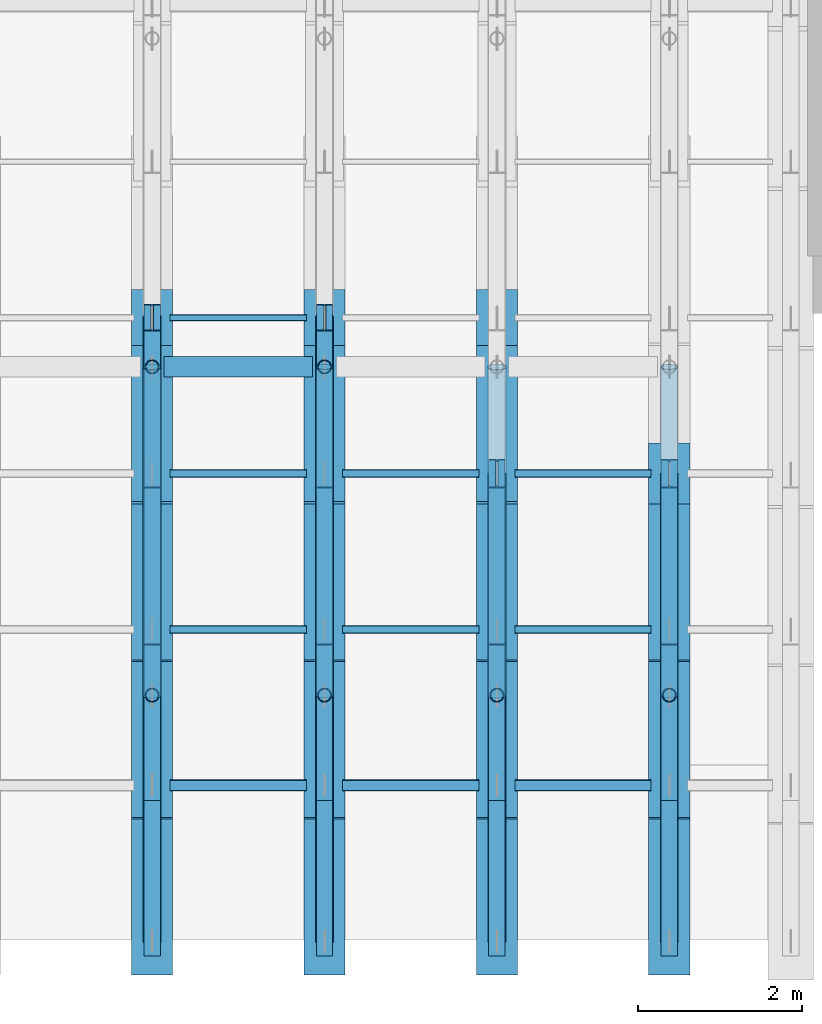
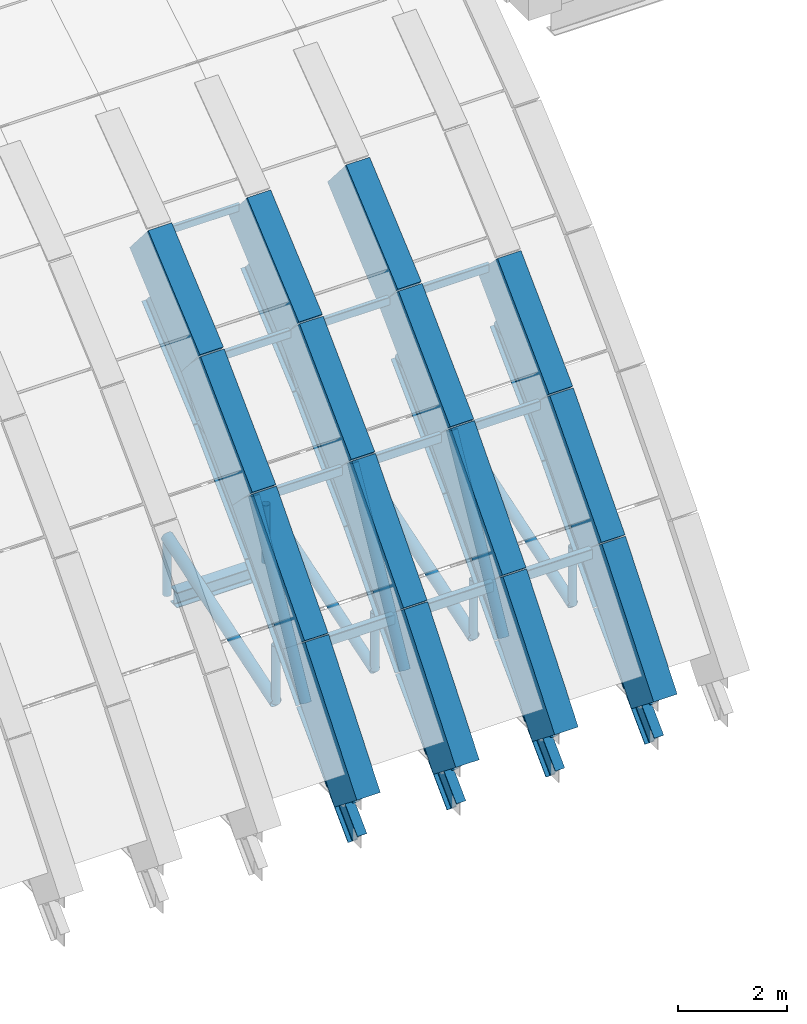
# One storey, part 32 of 67: 34 members, 30 beams.
"""IFC4 building model written with IfcOpenShell, lengths in metres."""

from ifc_helpers import new_model, si_unit, direction, frame, origin, origin_2d, place, context, subcontext, project, spatial, rectangle, hollow_rectangle, hollow_circle, i_section, extrude, material, material_profile, profile_set, type_object, element, save


model = new_model("IFC4")

# Units and contexts
model_context = context("Model", 3, precision=1e-05, world=origin(), true_north=direction((0.0, 1.0)))
body_context = subcontext(model_context, "Body", "Model", "MODEL_VIEW")
ifc_project = project(units=[si_unit("LENGTHUNIT", "METRE"), si_unit("AREAUNIT", "SQUARE_METRE"), si_unit("VOLUMEUNIT", "CUBIC_METRE"), si_unit("PLANEANGLEUNIT", "RADIAN"), si_unit("MASSUNIT", "GRAM", prefix="KILO")], contexts=[model_context])

# Site, building, storey
site_placement = place(None, origin())
site = spatial("IfcSite", under=ifc_project, at=site_placement, CompositionType="ELEMENT")
building_placement = place(site_placement, origin())
building = spatial("IfcBuilding", under=site, at=building_placement, Name="Shengluoqiao Park Theatre", CompositionType="ELEMENT")
storey_placement = place(building_placement, frame((0.0, 0.0, 28.60009765625)))
storey = spatial("IfcBuildingStorey", under=building, at=storey_placement, Name="Roof", CompositionType="ELEMENT", Elevation=28.60009765625)

# Beams
ifc_material_1 = material(Name="Concrete C50", Category="concrete")
ifc_material_profile_1 = material_profile(ifc_material_1, rectangle(XDim=0.5, YDim=1.050048828125, at=origin_2d()), Name="RC ARCH 500x1050")
ifc_profile_set_1 = profile_set([ifc_material_profile_1], Name="Concrete C50")
beam_type_1 = type_object("IfcBeamType", Name="STR-BM-AR-5010", PredefinedType="BEAM", material=ifc_profile_set_1)
beam_1_placement = place(storey_placement, frame((78.0, 76.0, -10.02001953125), z_axis=(0.0, 0.621631409309, 0.783309894588), x_axis=(-1.0, 0.0, 0.0)))
element("IfcBeam", 1, at=beam_1_placement, inside=storey, type_object=beam_type_1, Name="Barrel-Shell Arch Rib R17-S01", PredefinedType="BEAM", context=body_context, shape_type="SweptSolid", body=[
    extrude(rectangle(XDim=0.5, YDim=1.050048828125, at=origin_2d()), origin(), (0.0, 0.0, 1.0), 3.056396484375),
])
beam_2_placement = place(storey_placement, frame((78.0, 77.89990234375, -7.6259765625), z_axis=(0.0, 0.663638456789, 0.748053473136), x_axis=(-1.0, 0.0, 0.0)))
element("IfcBeam", 2, at=beam_2_placement, inside=storey, type_object=beam_type_1, Name="Barrel-Shell Arch Rib R17-S02", PredefinedType="BEAM", context=body_context, shape_type="SweptSolid", body=[
    extrude(rectangle(XDim=0.5, YDim=1.050048828125, at=origin_2d()), origin(), (0.0, 0.0, 1.0), 2.86328125),
])
beam_3_placement = place(storey_placement, frame((78.0, 79.800048828125, -5.484130859375), z_axis=(0.0, 0.708926398432, 0.705282469373), x_axis=(-1.0, 0.0, 0.0)))
element("IfcBeam", 3, at=beam_3_placement, inside=storey, type_object=beam_type_1, Name="Barrel-Shell Arch Rib R17-S03", PredefinedType="BEAM", context=body_context, shape_type="SweptSolid", body=[
    extrude(rectangle(XDim=0.5, YDim=1.050048828125, at=origin_2d()), origin(), (0.0, 0.0, 1.0), 2.679931640625),
])
beam_4_placement = place(storey_placement, frame((78.0, 81.699951171875, -3.593994140625), z_axis=(0.0, 0.757433195517, 0.652912669757), x_axis=(-1.0, 0.0, 0.0)))
element("IfcBeam", 4, at=beam_4_placement, inside=storey, type_object=beam_type_1, Name="Barrel-Shell Arch Rib R17-S04", PredefinedType="BEAM", context=body_context, shape_type="SweptSolid", body=[
    extrude(rectangle(XDim=0.5, YDim=1.050048828125, at=origin_2d()), origin(), (0.0, 0.0, 1.0), 2.508544921875),
])
beam_5_placement = place(storey_placement, frame((80.10009765625, 76.0, -10.02001953125), z_axis=(0.0, 0.621631409309, 0.783309894588), x_axis=(-1.0, 0.0, 0.0)))
element("IfcBeam", 5, at=beam_5_placement, inside=storey, type_object=beam_type_1, Name="Barrel-Shell Arch Rib R18-S01", PredefinedType="BEAM", context=body_context, shape_type="SweptSolid", body=[
    extrude(rectangle(XDim=0.5, YDim=1.050048828125, at=origin_2d()), origin(), (0.0, 0.0, 1.0), 3.056396484375),
])
beam_6_placement = place(storey_placement, frame((80.10009765625, 77.89990234375, -7.6259765625), z_axis=(0.0, 0.663638456789, 0.748053473136), x_axis=(-1.0, 0.0, 0.0)))
element("IfcBeam", 6, at=beam_6_placement, inside=storey, type_object=beam_type_1, Name="Barrel-Shell Arch Rib R18-S02", PredefinedType="BEAM", context=body_context, shape_type="SweptSolid", body=[
    extrude(rectangle(XDim=0.5, YDim=1.050048828125, at=origin_2d()), origin(), (0.0, 0.0, 1.0), 2.86328125),
])
beam_7_placement = place(storey_placement, frame((80.10009765625, 79.800048828125, -5.484130859375), z_axis=(0.0, 0.708926398432, 0.705282469373), x_axis=(-1.0, 0.0, 0.0)))
element("IfcBeam", 7, at=beam_7_placement, inside=storey, type_object=beam_type_1, Name="Barrel-Shell Arch Rib R18-S03", PredefinedType="BEAM", context=body_context, shape_type="SweptSolid", body=[
    extrude(rectangle(XDim=0.5, YDim=1.050048828125, at=origin_2d()), origin(), (0.0, 0.0, 1.0), 2.679931640625),
])
beam_8_placement = place(storey_placement, frame((80.10009765625, 81.699951171875, -3.593994140625), z_axis=(0.0, 0.757433195517, 0.652912669757), x_axis=(-1.0, 0.0, 0.0)))
element("IfcBeam", 8, at=beam_8_placement, inside=storey, type_object=beam_type_1, Name="Barrel-Shell Arch Rib R18-S04", PredefinedType="BEAM", context=body_context, shape_type="SweptSolid", body=[
    extrude(rectangle(XDim=0.5, YDim=1.050048828125, at=origin_2d()), origin(), (0.0, 0.0, 1.0), 2.508544921875),
])
beam_9_placement = place(storey_placement, frame((82.199951171875, 76.0, -10.02001953125), z_axis=(0.0, 0.621631409309, 0.783309894588), x_axis=(-1.0, 0.0, 0.0)))
element("IfcBeam", 9, at=beam_9_placement, inside=storey, type_object=beam_type_1, Name="Barrel-Shell Arch Rib R19-S01", PredefinedType="BEAM", context=body_context, shape_type="SweptSolid", body=[
    extrude(rectangle(XDim=0.5, YDim=1.050048828125, at=origin_2d()), origin(), (0.0, 0.0, 1.0), 3.056396484375),
])
beam_10_placement = place(storey_placement, frame((82.199951171875, 77.89990234375, -7.6259765625), z_axis=(0.0, 0.663638456789, 0.748053473136), x_axis=(-1.0, 0.0, 0.0)))
element("IfcBeam", 10, at=beam_10_placement, inside=storey, type_object=beam_type_1, Name="Barrel-Shell Arch Rib R19-S02", PredefinedType="BEAM", context=body_context, shape_type="SweptSolid", body=[
    extrude(rectangle(XDim=0.5, YDim=1.050048828125, at=origin_2d()), origin(), (0.0, 0.0, 1.0), 2.86328125),
])
beam_11_placement = place(storey_placement, frame((82.199951171875, 79.800048828125, -5.484130859375), z_axis=(0.0, 0.708926398432, 0.705282469373), x_axis=(-1.0, 0.0, 0.0)))
element("IfcBeam", 11, at=beam_11_placement, inside=storey, type_object=beam_type_1, Name="Barrel-Shell Arch Rib R19-S03", PredefinedType="BEAM", context=body_context, shape_type="SweptSolid", body=[
    extrude(rectangle(XDim=0.5, YDim=1.050048828125, at=origin_2d()), origin(), (0.0, 0.0, 1.0), 2.679931640625),
])
beam_12_placement = place(storey_placement, frame((82.199951171875, 81.699951171875, -3.593994140625), z_axis=(0.0, 0.757433195517, 0.652912669757), x_axis=(-1.0, 0.0, 0.0)))
element("IfcBeam", 12, at=beam_12_placement, inside=storey, type_object=beam_type_1, Name="Barrel-Shell Arch Rib R19-S04", PredefinedType="BEAM", context=body_context, shape_type="SweptSolid", body=[
    extrude(rectangle(XDim=0.5, YDim=1.050048828125, at=origin_2d()), origin(), (0.0, 0.0, 1.0), 2.508544921875),
])
beam_13_placement = place(storey_placement, frame((84.300048828125, 76.0, -10.02001953125), z_axis=(0.0, 0.621631409309, 0.783309894588), x_axis=(-1.0, 0.0, 0.0)))
element("IfcBeam", 13, at=beam_13_placement, inside=storey, type_object=beam_type_1, Name="Barrel-Shell Arch Rib R20-S01", PredefinedType="BEAM", context=body_context, shape_type="SweptSolid", body=[
    extrude(rectangle(XDim=0.5, YDim=1.050048828125, at=origin_2d()), origin(), (0.0, 0.0, 1.0), 3.056396484375),
])
beam_14_placement = place(storey_placement, frame((84.300048828125, 77.89990234375, -7.6259765625), z_axis=(0.0, 0.663638456789, 0.748053473136), x_axis=(-1.0, 0.0, 0.0)))
element("IfcBeam", 14, at=beam_14_placement, inside=storey, type_object=beam_type_1, Name="Barrel-Shell Arch Rib R20-S02", PredefinedType="BEAM", context=body_context, shape_type="SweptSolid", body=[
    extrude(rectangle(XDim=0.5, YDim=1.050048828125, at=origin_2d()), origin(), (0.0, 0.0, 1.0), 2.86328125),
])
beam_15_placement = place(storey_placement, frame((84.300048828125, 79.800048828125, -5.484130859375), z_axis=(0.0, 0.708926398432, 0.705282469373), x_axis=(-1.0, 0.0, 0.0)))
element("IfcBeam", 15, at=beam_15_placement, inside=storey, type_object=beam_type_1, Name="Barrel-Shell Arch Rib R20-S03", PredefinedType="BEAM", context=body_context, shape_type="SweptSolid", body=[
    extrude(rectangle(XDim=0.5, YDim=1.050048828125, at=origin_2d()), origin(), (0.0, 0.0, 1.0), 2.679931640625),
])
ifc_material_2 = material(Name="Steel Q355", Category="steel")
ifc_material_profile_2 = material_profile(ifc_material_2, i_section(OverallWidth=0.25, OverallDepth=0.340087890625, WebThickness=0.009033203125, FlangeThickness=0.013916015625, FilletRadius=0.01611328125, at=origin_2d()), Name="HM 340x250x9x14")
ifc_profile_set_2 = profile_set([ifc_material_profile_2], Name="Steel Q355")
beam_type_2 = type_object("IfcBeamType", Name="STR-BM-G-HM340", PredefinedType="BEAM", material=ifc_profile_set_2)
beam_16_placement = place(storey_placement, frame((78.14404296875, 83.0, -9.77001953125), z_axis=(1.0, 0.0, 0.0), x_axis=(0.0, 1.0, 0.0)))
element("IfcBeam", 16, at=beam_16_placement, inside=storey, type_object=beam_type_2, Name="Auditorium Overhead Catwalk Girder R17-1", PredefinedType="BEAM", context=body_context, shape_type="SweptSolid", body=[
    extrude(i_section(OverallWidth=0.25, OverallDepth=0.340087890625, WebThickness=0.009033203125, FlangeThickness=0.013916015625, FilletRadius=0.01611328125, at=origin_2d()), origin(), (0.0, 0.0, 1.0), 1.81201171875),
])
ifc_material_profile_3 = material_profile(ifc_material_2, i_section(OverallWidth=0.199951171875, OverallDepth=0.5, WebThickness=0.010009765625, FlangeThickness=0.01611328125, FilletRadius=0.01806640625, at=origin_2d()), Name="HN 500x200x10x16")
ifc_profile_set_3 = profile_set([ifc_material_profile_3], Name="Steel Q355")
beam_type_3 = type_object("IfcBeamType", Name="STR-BM-J-HN500", PredefinedType="JOIST", material=ifc_profile_set_3)
beam_17_placement = place(storey_placement, frame((78.0, 76.0, -10.880126953125), z_axis=(0.0, 0.708197993403, 0.706013882398), x_axis=(-1.0, 0.0, 0.0)))
element("IfcBeam", 17, at=beam_17_placement, inside=storey, type_object=beam_type_3, Name="Barrel-Shell Lower Arch Chord R17-S01", PredefinedType="JOIST", context=body_context, shape_type="SweptSolid", body=[
    extrude(i_section(OverallWidth=0.199951171875, OverallDepth=0.5, WebThickness=0.010009765625, FlangeThickness=0.01611328125, FilletRadius=0.01806640625, at=origin_2d()), origin(), (0.0, 0.0, 1.0), 2.6826171875),
])
beam_18_placement = place(storey_placement, frame((78.0, 77.89990234375, -8.986083984375), z_axis=(0.0, 0.663596128385, 0.748091022799), x_axis=(-1.0, 0.0, 0.0)))
element("IfcBeam", 18, at=beam_18_placement, inside=storey, type_object=beam_type_3, Name="Barrel-Shell Lower Arch Chord R17-S02", PredefinedType="JOIST", context=body_context, shape_type="SweptSolid", body=[
    extrude(i_section(OverallWidth=0.199951171875, OverallDepth=0.5, WebThickness=0.010009765625, FlangeThickness=0.01611328125, FilletRadius=0.01806640625, at=origin_2d()), origin(), (0.0, 0.0, 1.0), 2.863525390625),
])
beam_19_placement = place(storey_placement, frame((78.0, 79.800048828125, -6.843994140625), z_axis=(0.0, 0.708971948389, 0.70523668112), x_axis=(-1.0, 0.0, 0.0)))
element("IfcBeam", 19, at=beam_19_placement, inside=storey, type_object=beam_type_3, Name="Barrel-Shell Lower Arch Chord R17-S03", PredefinedType="JOIST", context=body_context, shape_type="SweptSolid", body=[
    extrude(i_section(OverallWidth=0.199951171875, OverallDepth=0.5, WebThickness=0.010009765625, FlangeThickness=0.01611328125, FilletRadius=0.01806640625, at=origin_2d()), origin(), (0.0, 0.0, 1.0), 2.6796875),
])
beam_20_placement = place(storey_placement, frame((78.0, 81.699951171875, -4.9541015625), z_axis=(0.0, 0.757433195517, 0.652912669757), x_axis=(-1.0, 0.0, 0.0)))
element("IfcBeam", 20, at=beam_20_placement, inside=storey, type_object=beam_type_3, Name="Barrel-Shell Lower Arch Chord R17-S04", PredefinedType="JOIST", context=body_context, shape_type="SweptSolid", body=[
    extrude(i_section(OverallWidth=0.199951171875, OverallDepth=0.5, WebThickness=0.010009765625, FlangeThickness=0.01611328125, FilletRadius=0.01806640625, at=origin_2d()), origin(), (0.0, 0.0, 1.0), 2.508544921875),
])
beam_21_placement = place(storey_placement, frame((80.10009765625, 76.0, -10.880126953125), z_axis=(0.0, 0.708197993403, 0.706013882398), x_axis=(-1.0, 0.0, 0.0)))
element("IfcBeam", 21, at=beam_21_placement, inside=storey, type_object=beam_type_3, Name="Barrel-Shell Lower Arch Chord R18-S01", PredefinedType="JOIST", context=body_context, shape_type="SweptSolid", body=[
    extrude(i_section(OverallWidth=0.199951171875, OverallDepth=0.5, WebThickness=0.010009765625, FlangeThickness=0.01611328125, FilletRadius=0.01806640625, at=origin_2d()), origin(), (0.0, 0.0, 1.0), 2.6826171875),
])
beam_22_placement = place(storey_placement, frame((80.10009765625, 77.89990234375, -8.986083984375), z_axis=(0.0, 0.663596128385, 0.748091022799), x_axis=(-1.0, 0.0, 0.0)))
element("IfcBeam", 22, at=beam_22_placement, inside=storey, type_object=beam_type_3, Name="Barrel-Shell Lower Arch Chord R18-S02", PredefinedType="JOIST", context=body_context, shape_type="SweptSolid", body=[
    extrude(i_section(OverallWidth=0.199951171875, OverallDepth=0.5, WebThickness=0.010009765625, FlangeThickness=0.01611328125, FilletRadius=0.01806640625, at=origin_2d()), origin(), (0.0, 0.0, 1.0), 2.863525390625),
])
beam_23_placement = place(storey_placement, frame((80.10009765625, 79.800048828125, -6.843994140625), z_axis=(0.0, 0.708971948389, 0.70523668112), x_axis=(-1.0, 0.0, 0.0)))
element("IfcBeam", 23, at=beam_23_placement, inside=storey, type_object=beam_type_3, Name="Barrel-Shell Lower Arch Chord R18-S03", PredefinedType="JOIST", context=body_context, shape_type="SweptSolid", body=[
    extrude(i_section(OverallWidth=0.199951171875, OverallDepth=0.5, WebThickness=0.010009765625, FlangeThickness=0.01611328125, FilletRadius=0.01806640625, at=origin_2d()), origin(), (0.0, 0.0, 1.0), 2.6796875),
])
beam_24_placement = place(storey_placement, frame((80.10009765625, 81.699951171875, -4.9541015625), z_axis=(0.0, 0.757433195517, 0.652912669757), x_axis=(-1.0, 0.0, 0.0)))
element("IfcBeam", 24, at=beam_24_placement, inside=storey, type_object=beam_type_3, Name="Barrel-Shell Lower Arch Chord R18-S04", PredefinedType="JOIST", context=body_context, shape_type="SweptSolid", body=[
    extrude(i_section(OverallWidth=0.199951171875, OverallDepth=0.5, WebThickness=0.010009765625, FlangeThickness=0.01611328125, FilletRadius=0.01806640625, at=origin_2d()), origin(), (0.0, 0.0, 1.0), 2.508544921875),
])
beam_25_placement = place(storey_placement, frame((82.199951171875, 76.0, -10.880126953125), z_axis=(0.0, 0.708197993403, 0.706013882398), x_axis=(-1.0, 0.0, 0.0)))
element("IfcBeam", 25, at=beam_25_placement, inside=storey, type_object=beam_type_3, Name="Barrel-Shell Lower Arch Chord R19-S01", PredefinedType="JOIST", context=body_context, shape_type="SweptSolid", body=[
    extrude(i_section(OverallWidth=0.199951171875, OverallDepth=0.5, WebThickness=0.010009765625, FlangeThickness=0.01611328125, FilletRadius=0.01806640625, at=origin_2d()), origin(), (0.0, 0.0, 1.0), 2.6826171875),
])
beam_26_placement = place(storey_placement, frame((82.199951171875, 77.89990234375, -8.986083984375), z_axis=(0.0, 0.663596128385, 0.748091022799), x_axis=(-1.0, 0.0, 0.0)))
element("IfcBeam", 26, at=beam_26_placement, inside=storey, type_object=beam_type_3, Name="Barrel-Shell Lower Arch Chord R19-S02", PredefinedType="JOIST", context=body_context, shape_type="SweptSolid", body=[
    extrude(i_section(OverallWidth=0.199951171875, OverallDepth=0.5, WebThickness=0.010009765625, FlangeThickness=0.01611328125, FilletRadius=0.01806640625, at=origin_2d()), origin(), (0.0, 0.0, 1.0), 2.863525390625),
])
beam_27_placement = place(storey_placement, frame((82.199951171875, 79.800048828125, -6.843994140625), z_axis=(0.0, 0.708971948389, 0.70523668112), x_axis=(-1.0, 0.0, 0.0)))
element("IfcBeam", 27, at=beam_27_placement, inside=storey, type_object=beam_type_3, Name="Barrel-Shell Lower Arch Chord R19-S03", PredefinedType="JOIST", context=body_context, shape_type="SweptSolid", body=[
    extrude(i_section(OverallWidth=0.199951171875, OverallDepth=0.5, WebThickness=0.010009765625, FlangeThickness=0.01611328125, FilletRadius=0.01806640625, at=origin_2d()), origin(), (0.0, 0.0, 1.0), 2.6796875),
])
beam_28_placement = place(storey_placement, frame((84.300048828125, 76.0, -10.880126953125), z_axis=(0.0, 0.708197993403, 0.706013882398), x_axis=(-1.0, 0.0, 0.0)))
element("IfcBeam", 28, at=beam_28_placement, inside=storey, type_object=beam_type_3, Name="Barrel-Shell Lower Arch Chord R20-S01", PredefinedType="JOIST", context=body_context, shape_type="SweptSolid", body=[
    extrude(i_section(OverallWidth=0.199951171875, OverallDepth=0.5, WebThickness=0.010009765625, FlangeThickness=0.01611328125, FilletRadius=0.01806640625, at=origin_2d()), origin(), (0.0, 0.0, 1.0), 2.6826171875),
])
beam_29_placement = place(storey_placement, frame((84.300048828125, 77.89990234375, -8.986083984375), z_axis=(0.0, 0.663596128385, 0.748091022799), x_axis=(-1.0, 0.0, 0.0)))
element("IfcBeam", 29, at=beam_29_placement, inside=storey, type_object=beam_type_3, Name="Barrel-Shell Lower Arch Chord R20-S02", PredefinedType="JOIST", context=body_context, shape_type="SweptSolid", body=[
    extrude(i_section(OverallWidth=0.199951171875, OverallDepth=0.5, WebThickness=0.010009765625, FlangeThickness=0.01611328125, FilletRadius=0.01806640625, at=origin_2d()), origin(), (0.0, 0.0, 1.0), 2.863525390625),
])
beam_30_placement = place(storey_placement, frame((84.300048828125, 79.800048828125, -6.843994140625), z_axis=(0.0, 0.708971948389, 0.70523668112), x_axis=(-1.0, 0.0, 0.0)))
element("IfcBeam", 30, at=beam_30_placement, inside=storey, type_object=beam_type_3, Name="Barrel-Shell Lower Arch Chord R20-S03", PredefinedType="JOIST", context=body_context, shape_type="SweptSolid", body=[
    extrude(i_section(OverallWidth=0.199951171875, OverallDepth=0.5, WebThickness=0.010009765625, FlangeThickness=0.01611328125, FilletRadius=0.01806640625, at=origin_2d()), origin(), (0.0, 0.0, 1.0), 2.6796875),
])

# Members
ifc_material_profile_4 = material_profile(ifc_material_2, hollow_circle(Radius=0.109619140625, WallThickness=0.010009765625, at=origin_2d()), Name="CHS 219x10")
ifc_profile_set_4 = profile_set([ifc_material_profile_4], Name="Steel Q355")
member_type_1 = type_object("IfcMemberType", Name="STR-MEM-BRC-219", PredefinedType="BRACE", material=ifc_profile_set_4)
member_1_placement = place(storey_placement, frame((78.0, 76.0, -10.02001953125), z_axis=(0.0, 0.878356711208, 0.478005740422), x_axis=(-1.0, 0.0, 0.0)))
element("IfcMember", 31, at=member_1_placement, inside=storey, type_object=member_type_1, Name="Barrel-Shell Arch Truss Web 0321", PredefinedType="BRACE", context=body_context, shape_type="SweptSolid", body=[
    extrude(hollow_circle(Radius=0.109619140625, WallThickness=0.010009765625, at=origin_2d()), origin(), (0.0, 0.0, 1.0), 2.1630859375),
])
member_2_placement = place(storey_placement, frame((78.0, 77.89990234375, -8.986083984375), z_axis=(0.0, 0.476914707828, 0.87894957845), x_axis=(-1.0, 0.0, 0.0)))
element("IfcMember", 32, at=member_2_placement, inside=storey, type_object=member_type_1, Name="Barrel-Shell Arch Truss Web 0322", PredefinedType="BRACE", context=body_context, shape_type="SweptSolid", body=[
    extrude(hollow_circle(Radius=0.109619140625, WallThickness=0.010009765625, at=origin_2d()), origin(), (0.0, 0.0, 1.0), 3.984130859375),
])
member_3_placement = place(storey_placement, frame((78.0, 79.800048828125, -5.484130859375), z_axis=(0.0, 0.963219400843, 0.268716180831), x_axis=(-1.0, 0.0, 0.0)))
element("IfcMember", 33, at=member_3_placement, inside=storey, type_object=member_type_1, Name="Barrel-Shell Arch Truss Web 0323", PredefinedType="BRACE", context=body_context, shape_type="SweptSolid", body=[
    extrude(hollow_circle(Radius=0.109619140625, WallThickness=0.010009765625, at=origin_2d()), origin(), (0.0, 0.0, 1.0), 1.972412109375),
])
member_4_placement = place(storey_placement, frame((78.0, 81.699951171875, -4.9541015625), z_axis=(0.0, 0.535330234694, 0.844642847494), x_axis=(-1.0, 0.0, 0.0)))
element("IfcMember", 34, at=member_4_placement, inside=storey, type_object=member_type_1, Name="Barrel-Shell Arch Truss Web 0324", PredefinedType="BRACE", context=body_context, shape_type="SweptSolid", body=[
    extrude(hollow_circle(Radius=0.109619140625, WallThickness=0.010009765625, at=origin_2d()), origin(), (0.0, 0.0, 1.0), 3.549560546875),
])
member_5_placement = place(storey_placement, frame((80.10009765625, 76.0, -10.02001953125), z_axis=(0.0, 0.878356711208, 0.478005740422), x_axis=(-1.0, 0.0, 0.0)))
element("IfcMember", 35, at=member_5_placement, inside=storey, type_object=member_type_1, Name="Barrel-Shell Arch Truss Web 0341", PredefinedType="BRACE", context=body_context, shape_type="SweptSolid", body=[
    extrude(hollow_circle(Radius=0.109619140625, WallThickness=0.010009765625, at=origin_2d()), origin(), (0.0, 0.0, 1.0), 2.1630859375),
])
member_6_placement = place(storey_placement, frame((80.10009765625, 77.89990234375, -8.986083984375), z_axis=(0.0, 0.476914707828, 0.87894957845), x_axis=(-1.0, 0.0, 0.0)))
element("IfcMember", 36, at=member_6_placement, inside=storey, type_object=member_type_1, Name="Barrel-Shell Arch Truss Web 0342", PredefinedType="BRACE", context=body_context, shape_type="SweptSolid", body=[
    extrude(hollow_circle(Radius=0.109619140625, WallThickness=0.010009765625, at=origin_2d()), origin(), (0.0, 0.0, 1.0), 3.984130859375),
])
member_7_placement = place(storey_placement, frame((80.10009765625, 79.800048828125, -5.484130859375), z_axis=(0.0, 0.963219400843, 0.268716180831), x_axis=(-1.0, 0.0, 0.0)))
element("IfcMember", 37, at=member_7_placement, inside=storey, type_object=member_type_1, Name="Barrel-Shell Arch Truss Web 0343", PredefinedType="BRACE", context=body_context, shape_type="SweptSolid", body=[
    extrude(hollow_circle(Radius=0.109619140625, WallThickness=0.010009765625, at=origin_2d()), origin(), (0.0, 0.0, 1.0), 1.972412109375),
])
member_8_placement = place(storey_placement, frame((80.10009765625, 81.699951171875, -4.9541015625), z_axis=(0.0, 0.535330234694, 0.844642847494), x_axis=(-1.0, 0.0, 0.0)))
element("IfcMember", 38, at=member_8_placement, inside=storey, type_object=member_type_1, Name="Barrel-Shell Arch Truss Web 0344", PredefinedType="BRACE", context=body_context, shape_type="SweptSolid", body=[
    extrude(hollow_circle(Radius=0.109619140625, WallThickness=0.010009765625, at=origin_2d()), origin(), (0.0, 0.0, 1.0), 3.549560546875),
])
member_9_placement = place(storey_placement, frame((82.199951171875, 76.0, -10.02001953125), z_axis=(0.0, 0.878356711208, 0.478005740422), x_axis=(-1.0, 0.0, 0.0)))
element("IfcMember", 39, at=member_9_placement, inside=storey, type_object=member_type_1, Name="Barrel-Shell Arch Truss Web 0361", PredefinedType="BRACE", context=body_context, shape_type="SweptSolid", body=[
    extrude(hollow_circle(Radius=0.109619140625, WallThickness=0.010009765625, at=origin_2d()), origin(), (0.0, 0.0, 1.0), 2.1630859375),
])
member_10_placement = place(storey_placement, frame((82.199951171875, 77.89990234375, -8.986083984375), z_axis=(0.0, 0.476914707828, 0.87894957845), x_axis=(-1.0, 0.0, 0.0)))
element("IfcMember", 40, at=member_10_placement, inside=storey, type_object=member_type_1, Name="Barrel-Shell Arch Truss Web 0362", PredefinedType="BRACE", context=body_context, shape_type="SweptSolid", body=[
    extrude(hollow_circle(Radius=0.109619140625, WallThickness=0.010009765625, at=origin_2d()), origin(), (0.0, 0.0, 1.0), 3.984130859375),
])
member_11_placement = place(storey_placement, frame((82.199951171875, 79.800048828125, -5.484130859375), z_axis=(0.0, 0.963219400843, 0.268716180831), x_axis=(-1.0, 0.0, 0.0)))
element("IfcMember", 41, at=member_11_placement, inside=storey, type_object=member_type_1, Name="Barrel-Shell Arch Truss Web 0363", PredefinedType="BRACE", context=body_context, shape_type="SweptSolid", body=[
    extrude(hollow_circle(Radius=0.109619140625, WallThickness=0.010009765625, at=origin_2d()), origin(), (0.0, 0.0, 1.0), 1.972412109375),
])
member_12_placement = place(storey_placement, frame((84.300048828125, 76.0, -10.02001953125), z_axis=(0.0, 0.878356711208, 0.478005740422), x_axis=(-1.0, 0.0, 0.0)))
element("IfcMember", 42, at=member_12_placement, inside=storey, type_object=member_type_1, Name="Barrel-Shell Arch Truss Web 0381", PredefinedType="BRACE", context=body_context, shape_type="SweptSolid", body=[
    extrude(hollow_circle(Radius=0.109619140625, WallThickness=0.010009765625, at=origin_2d()), origin(), (0.0, 0.0, 1.0), 2.1630859375),
])
member_13_placement = place(storey_placement, frame((84.300048828125, 77.89990234375, -8.986083984375), z_axis=(0.0, 0.476914707828, 0.87894957845), x_axis=(-1.0, 0.0, 0.0)))
element("IfcMember", 43, at=member_13_placement, inside=storey, type_object=member_type_1, Name="Barrel-Shell Arch Truss Web 0382", PredefinedType="BRACE", context=body_context, shape_type="SweptSolid", body=[
    extrude(hollow_circle(Radius=0.109619140625, WallThickness=0.010009765625, at=origin_2d()), origin(), (0.0, 0.0, 1.0), 3.984130859375),
])
member_14_placement = place(storey_placement, frame((84.300048828125, 79.800048828125, -5.484130859375), z_axis=(0.0, 0.963219400843, 0.268716180831), x_axis=(-1.0, 0.0, 0.0)))
element("IfcMember", 44, at=member_14_placement, inside=storey, type_object=member_type_1, Name="Barrel-Shell Arch Truss Web 0383", PredefinedType="BRACE", context=body_context, shape_type="SweptSolid", body=[
    extrude(hollow_circle(Radius=0.109619140625, WallThickness=0.010009765625, at=origin_2d()), origin(), (0.0, 0.0, 1.0), 1.972412109375),
])
for number, where, z_axis, x_axis, name in (
    (45, (80.10009765625, 79.0, -9.650146484375), (0.0, 0.951030656115, 0.309096572498), (-1.0, 0.0, 0.0), "Acoustic Tie Truss Diagonal 0146"),
    (46, (84.300048828125, 79.0, -9.650146484375), (0.0, 0.951030656115, 0.309096572498), (-1.0, 0.0, 0.0), "Acoustic Tie Truss Diagonal 0180"),
):
    element("IfcMember", number, at=place(storey_placement, frame(where, z_axis=z_axis, x_axis=x_axis)), inside=storey, type_object=member_type_1, Name=name, PredefinedType="BRACE", context=body_context, shape_type="SweptSolid", body=[
        extrude(hollow_circle(Radius=0.109619140625, WallThickness=0.010009765625, at=origin_2d()), origin(), (0.0, 0.0, 1.0), 4.2060546875),
    ])
ifc_material_profile_5 = material_profile(ifc_material_2, hollow_circle(Radius=0.12255859375, WallThickness=0.010009765625, at=origin_2d()), Name="CHS 245x10")
ifc_profile_set_5 = profile_set([ifc_material_profile_5], Name="Steel Q355")
member_type_2 = type_object("IfcMemberType", Name="STR-MEM-BRC-245", PredefinedType="BRACE", material=ifc_profile_set_5)
for number, where, z_axis, x_axis, name in (
    (47, (78.0, 79.0, -9.650146484375), (0.0, 0.951030656115, 0.309096572498), (-1.0, 0.0, 0.0), "Acoustic Tie Truss Diagonal 0129"),
    (48, (82.199951171875, 79.0, -9.650146484375), (0.0, 0.951030656115, 0.309096572498), (-1.0, 0.0, 0.0), "Acoustic Tie Truss Diagonal 0163"),
):
    element("IfcMember", number, at=place(storey_placement, frame(where, z_axis=z_axis, x_axis=x_axis)), inside=storey, type_object=member_type_2, Name=name, PredefinedType="BRACE", context=body_context, shape_type="SweptSolid", body=[
        extrude(hollow_circle(Radius=0.12255859375, WallThickness=0.010009765625, at=origin_2d()), origin(), (0.0, 0.0, 1.0), 4.2060546875),
    ])
ifc_material_profile_6 = material_profile(ifc_material_2, hollow_rectangle(XDim=0.080078125, YDim=0.159912109375, WallThickness=0.006103515625, InnerFilletRadius=0.006103515625, OuterFilletRadius=0.011962890625, at=origin_2d()), Name="RHS 160x80x6")
ifc_profile_set_6 = profile_set([ifc_material_profile_6], Name="Steel Q355")
member_type_3 = type_object("IfcMemberType", Name="STR-MEM-PU-R160", PredefinedType="PURLIN", material=ifc_profile_set_6)
member_15_placement = place(storey_placement, frame((78.219970703125, 83.60009765625, -1.97607421875), z_axis=(1.0, 0.0, 0.0), x_axis=(0.0, 1.0, 0.0)))
element("IfcMember", 49, at=member_15_placement, inside=storey, type_object=member_type_3, Name="Shell Longitudinal Purlin 0308", PredefinedType="PURLIN", context=body_context, shape_type="SweptSolid", body=[
    extrude(hollow_rectangle(XDim=0.080078125, YDim=0.159912109375, WallThickness=0.006103515625, InnerFilletRadius=0.006103515625, OuterFilletRadius=0.011962890625, at=origin_2d()), origin(), (0.0, 0.0, 1.0), 1.659912109375),
])
ifc_material_profile_7 = material_profile(ifc_material_2, hollow_rectangle(XDim=0.10009765625, YDim=0.179931640625, WallThickness=0.008056640625, InnerFilletRadius=0.008056640625, OuterFilletRadius=0.01611328125, at=origin_2d()), Name="RHS 180x100x8")
ifc_profile_set_7 = profile_set([ifc_material_profile_7], Name="Steel Q355")
member_type_4 = type_object("IfcMemberType", Name="STR-MEM-PU-R180", PredefinedType="PURLIN", material=ifc_profile_set_7)
for number, where, z_axis, x_axis, name in (
    (50, (78.219970703125, 81.699951171875, -3.64404296875), (1.0, 0.0, 0.0), (0.0, 1.0, 0.0), "Shell Longitudinal Purlin 0307"),
    (51, (80.320068359375, 81.699951171875, -3.64404296875), (1.0, 0.0, 0.0), (0.0, 1.0, 0.0), "Shell Longitudinal Purlin 0326"),
):
    element("IfcMember", number, at=place(storey_placement, frame(where, z_axis=z_axis, x_axis=x_axis)), inside=storey, type_object=member_type_4, Name=name, PredefinedType="PURLIN", context=body_context, shape_type="SweptSolid", body=[
        extrude(hollow_rectangle(XDim=0.10009765625, YDim=0.179931640625, WallThickness=0.008056640625, InnerFilletRadius=0.008056640625, OuterFilletRadius=0.01611328125, at=origin_2d()), origin(), (0.0, 0.0, 1.0), 1.659912109375),
    ])
member_16_placement = place(storey_placement, frame((82.419921875, 81.699951171875, -3.64404296875), z_axis=(1.0, 0.0, 0.0), x_axis=(0.0, 1.0, 0.0)))
element("IfcMember", 52, at=member_16_placement, inside=storey, type_object=member_type_4, Name="Shell Longitudinal Purlin 0345", PredefinedType="PURLIN", context=body_context, shape_type="SweptSolid", body=[
    extrude(hollow_rectangle(XDim=0.10009765625, YDim=0.179931640625, WallThickness=0.008056640625, InnerFilletRadius=0.008056640625, OuterFilletRadius=0.01611328125, at=origin_2d()), origin(), (0.0, 0.0, 1.0), 1.66015625),
])
ifc_material_profile_8 = material_profile(ifc_material_2, hollow_rectangle(XDim=0.10009765625, YDim=0.199951171875, WallThickness=0.008056640625, InnerFilletRadius=0.008056640625, OuterFilletRadius=0.01611328125, at=origin_2d()), Name="RHS 200x100x8")
ifc_profile_set_8 = profile_set([ifc_material_profile_8], Name="Steel Q355")
member_type_5 = type_object("IfcMemberType", Name="STR-MEM-PU-R200", PredefinedType="PURLIN", material=ifc_profile_set_8)
for number, where, z_axis, x_axis, name in (
    (53, (78.219970703125, 79.800048828125, -5.564208984375), (1.0, 0.0, 0.0), (0.0, 1.0, 0.0), "Shell Longitudinal Purlin 0306"),
    (54, (80.320068359375, 79.800048828125, -5.564208984375), (1.0, 0.0, 0.0), (0.0, 1.0, 0.0), "Shell Longitudinal Purlin 0325"),
):
    element("IfcMember", number, at=place(storey_placement, frame(where, z_axis=z_axis, x_axis=x_axis)), inside=storey, type_object=member_type_5, Name=name, PredefinedType="PURLIN", context=body_context, shape_type="SweptSolid", body=[
        extrude(hollow_rectangle(XDim=0.10009765625, YDim=0.199951171875, WallThickness=0.008056640625, InnerFilletRadius=0.008056640625, OuterFilletRadius=0.01611328125, at=origin_2d()), origin(), (0.0, 0.0, 1.0), 1.659912109375),
    ])
member_17_placement = place(storey_placement, frame((82.419921875, 79.800048828125, -5.564208984375), z_axis=(1.0, 0.0, 0.0), x_axis=(0.0, 1.0, 0.0)))
element("IfcMember", 55, at=member_17_placement, inside=storey, type_object=member_type_5, Name="Shell Longitudinal Purlin 0344", PredefinedType="PURLIN", context=body_context, shape_type="SweptSolid", body=[
    extrude(hollow_rectangle(XDim=0.10009765625, YDim=0.199951171875, WallThickness=0.008056640625, InnerFilletRadius=0.008056640625, OuterFilletRadius=0.01611328125, at=origin_2d()), origin(), (0.0, 0.0, 1.0), 1.66015625),
])
ifc_material_profile_9 = material_profile(ifc_material_2, hollow_rectangle(XDim=0.139892578125, YDim=0.219970703125, WallThickness=0.010009765625, InnerFilletRadius=0.010009765625, OuterFilletRadius=0.02001953125, at=origin_2d()), Name="RHS 220x140x10")
ifc_profile_set_9 = profile_set([ifc_material_profile_9], Name="Steel Q355")
member_type_6 = type_object("IfcMemberType", Name="STR-MEM-PU-R220", PredefinedType="PURLIN", material=ifc_profile_set_9)
for number, where, z_axis, x_axis, name in (
    (56, (78.219970703125, 77.89990234375, -7.736083984375), (1.0, 0.0, 0.0), (0.0, 1.0, 0.0), "Shell Longitudinal Purlin 0305"),
    (57, (80.320068359375, 77.89990234375, -7.736083984375), (1.0, 0.0, 0.0), (0.0, 1.0, 0.0), "Shell Longitudinal Purlin 0324"),
):
    element("IfcMember", number, at=place(storey_placement, frame(where, z_axis=z_axis, x_axis=x_axis)), inside=storey, type_object=member_type_6, Name=name, PredefinedType="PURLIN", context=body_context, shape_type="SweptSolid", body=[
        extrude(hollow_rectangle(XDim=0.139892578125, YDim=0.219970703125, WallThickness=0.010009765625, InnerFilletRadius=0.010009765625, OuterFilletRadius=0.02001953125, at=origin_2d()), origin(), (0.0, 0.0, 1.0), 1.659912109375),
    ])
member_18_placement = place(storey_placement, frame((82.419921875, 77.89990234375, -7.736083984375), z_axis=(1.0, 0.0, 0.0), x_axis=(0.0, 1.0, 0.0)))
element("IfcMember", 58, at=member_18_placement, inside=storey, type_object=member_type_6, Name="Shell Longitudinal Purlin 0343", PredefinedType="PURLIN", context=body_context, shape_type="SweptSolid", body=[
    extrude(hollow_rectangle(XDim=0.139892578125, YDim=0.219970703125, WallThickness=0.010009765625, InnerFilletRadius=0.010009765625, OuterFilletRadius=0.02001953125, at=origin_2d()), origin(), (0.0, 0.0, 1.0), 1.66015625),
])
ifc_material_profile_10 = material_profile(ifc_material_2, hollow_circle(Radius=0.083984375, WallThickness=0.008056640625, at=origin_2d()), Name="CHS 168x8")
ifc_profile_set_10 = profile_set([ifc_material_profile_10], Name="Steel Q355")
member_type_7 = type_object("IfcMemberType", Name="STR-MEM-STC-168", PredefinedType="STRUT", material=ifc_profile_set_10)
for number, where, z_axis, x_axis, name in (
    (59, (78.0, 79.0, -9.650146484375), (0.0, 0.0, 1.0), (1.0, 0.0, 0.0), "Acoustic Tie Truss Strut 0120"),
    (60, (78.0, 83.0, -9.650146484375), (0.0, 0.0, 1.0), (1.0, 0.0, 0.0), "Acoustic Tie Truss Strut 0121"),
    (61, (80.10009765625, 79.0, -9.650146484375), (0.0, 0.0, 1.0), (1.0, 0.0, 0.0), "Acoustic Tie Truss Strut 0137"),
    (62, (80.10009765625, 83.0, -9.650146484375), (0.0, 0.0, 1.0), (1.0, 0.0, 0.0), "Acoustic Tie Truss Strut 0138"),
    (63, (82.199951171875, 79.0, -9.650146484375), (0.0, 0.0, 1.0), (1.0, 0.0, 0.0), "Acoustic Tie Truss Strut 0154"),
    (64, (84.300048828125, 79.0, -9.650146484375), (0.0, 0.0, 1.0), (1.0, 0.0, 0.0), "Acoustic Tie Truss Strut 0171"),
):
    element("IfcMember", number, at=place(storey_placement, frame(where, z_axis=z_axis, x_axis=x_axis)), inside=storey, type_object=member_type_7, Name=name, PredefinedType="STRUT", context=body_context, shape_type="SweptSolid", body=[
        extrude(hollow_circle(Radius=0.083984375, WallThickness=0.008056640625, at=origin_2d()), origin(), (0.0, 0.0, 1.0), 1.300048828125),
    ])

save(model, "model.ifc")
